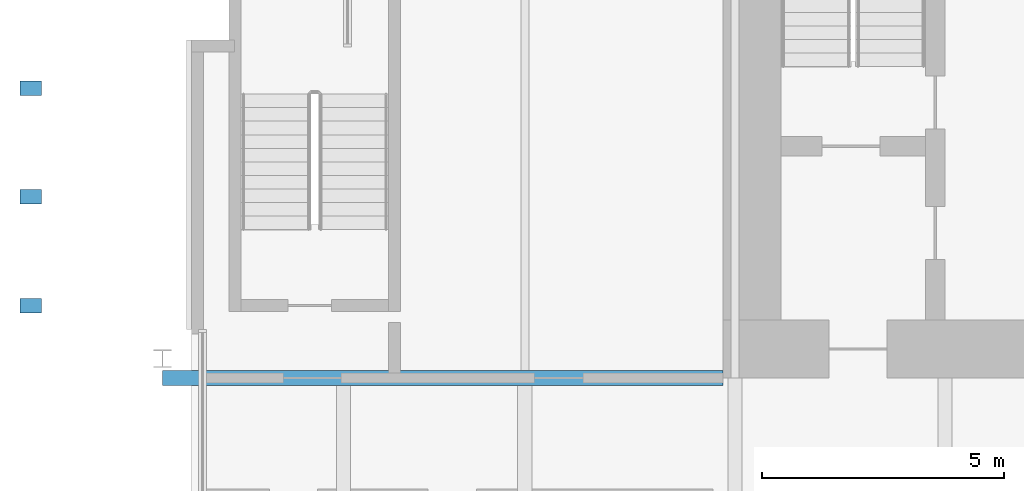
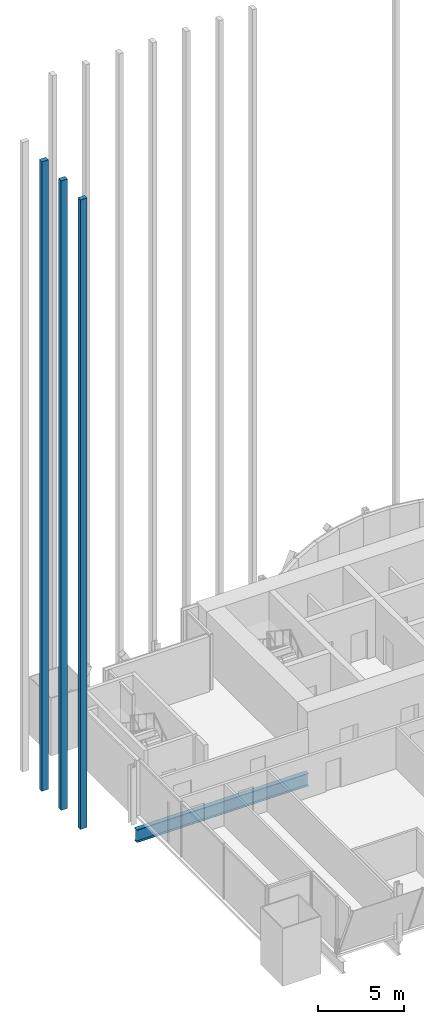
# One storey, part 8 of 29: 3 members, 1 beam, 1 element without a shape of its own.
"""IFC4 building model written with IfcOpenShell, lengths in metres."""

from ifc_helpers import new_model, si_unit, direction, frame, origin, origin_2d, place, context, subcontext, project, spatial, rectangle, i_section, extrude, material, material_profile, profile_set, type_object, element, aggregate, save


model = new_model("IFC4")

# Units and contexts
model_context = context("Model", 3, precision=1e-05, world=origin(), true_north=direction((0.0, 1.0)))
body_context = subcontext(model_context, "Body", "Model", "MODEL_VIEW")
ifc_project = project(units=[si_unit("LENGTHUNIT", "METRE"), si_unit("AREAUNIT", "SQUARE_METRE"), si_unit("VOLUMEUNIT", "CUBIC_METRE"), si_unit("PLANEANGLEUNIT", "RADIAN"), si_unit("MASSUNIT", "GRAM", prefix="KILO")], contexts=[model_context])

# Site, building, storey
site_placement = place(None, origin())
site = spatial("IfcSite", under=ifc_project, at=site_placement, CompositionType="ELEMENT")
building_placement = place(site_placement, origin())
building = spatial("IfcBuilding", under=site, at=building_placement, Name="Bicima Exchange Tower", CompositionType="ELEMENT")
storey_placement = place(building_placement, frame((0.0, 0.0, 190.89990234375)))
storey = spatial("IfcBuildingStorey", under=building, at=storey_placement, Name="L42", CompositionType="ELEMENT", Elevation=190.89990234375)

# Beam
ifc_material_1 = material(Name="Steel ASTM A992 Gr 50", Category="steel")
ifc_material_profile_1 = material_profile(ifc_material_1, i_section(OverallWidth=0.3046875, OverallDepth=0.911865234375, WebThickness=0.015869140625, FlangeThickness=0.02392578125, at=origin_2d()))
ifc_profile_set_1 = profile_set([ifc_material_profile_1], Name="Steel ASTM A992 Gr 50")
beam_type = type_object("IfcBeamType", Name="Core-line girder W36x150", PredefinedType="BEAM", material=ifc_profile_set_1)
beam_placement = place(storey_placement, frame((-22.0, -13.0, -0.605712890625), z_axis=(-1.0, 0.0, 0.0), x_axis=(0.0, -1.0, 0.0)))
element("IfcBeam", 1, at=beam_placement, inside=storey, type_object=beam_type, Name="Core-line girder", PredefinedType="BEAM", context=body_context, shape_type="SweptSolid", body=[
    extrude(i_section(OverallWidth=0.3046875, OverallDepth=0.911865234375, WebThickness=0.015869140625, FlangeThickness=0.02392578125, at=origin_2d()), origin(), (0.0, 0.0, 1.0), 11.60009765625),
])

# Curtain wall, members
ifc_material_2 = material(Name="Anodised bronze aluminium", Category="aluminium")
curtain_wall_type = type_object("IfcCurtainWallType", Name="Rear blade screen", PredefinedType="NOTDEFINED", material=ifc_material_2)
curtain_wall_placement = place(storey_placement, origin())
curtain_wall = element("IfcCurtainWall", 2, at=curtain_wall_placement, inside=storey, type_object=curtain_wall_type, Name="End blade screen L42-L52", PredefinedType="NOTDEFINED")
ifc_material_profile_2 = material_profile(ifc_material_2, rectangle(XDim=0.449951171875, YDim=0.300048828125, at=origin_2d()))
ifc_profile_set_2 = profile_set([ifc_material_profile_2], Name="Anodised bronze aluminium")
member_type = type_object("IfcMemberType", Name="Rear blade fin 450 x 300", PredefinedType="USERDEFINED", material=ifc_profile_set_2)
member_1_placement = place(storey_placement, frame((-36.324951171875, -11.5, 0.0), z_axis=(0.0, 0.0, 1.0), x_axis=(1.0, 0.0, 0.0)))
member_1 = element("IfcMember", 3, at=member_1_placement, type_object=member_type, Name="End blade fin L42-L52 1", ObjectType="FIN", PredefinedType="USERDEFINED", context=body_context, shape_type="SweptSolid", body=[
    extrude(rectangle(XDim=0.449951171875, YDim=0.300048828125, at=origin_2d()), origin(), (0.0, 0.0, 1.0), 44.900146484375),
])
member_2_placement = place(storey_placement, frame((-36.324951171875, -9.25, 0.0), z_axis=(0.0, 0.0, 1.0), x_axis=(1.0, 0.0, 0.0)))
member_2 = element("IfcMember", 4, at=member_2_placement, type_object=member_type, Name="End blade fin L42-L52 2", ObjectType="FIN", PredefinedType="USERDEFINED", context=body_context, shape_type="SweptSolid", body=[
    extrude(rectangle(XDim=0.449951171875, YDim=0.300048828125, at=origin_2d()), origin(), (0.0, 0.0, 1.0), 44.900146484375),
])
member_3_placement = place(storey_placement, frame((-36.324951171875, -7.0, 0.0), z_axis=(0.0, 0.0, 1.0), x_axis=(1.0, 0.0, 0.0)))
member_3 = element("IfcMember", 5, at=member_3_placement, type_object=member_type, Name="End blade fin L42-L52 3", ObjectType="FIN", PredefinedType="USERDEFINED", context=body_context, shape_type="SweptSolid", body=[
    extrude(rectangle(XDim=0.449951171875, YDim=0.300048828125, at=origin_2d()), origin(), (0.0, 0.0, 1.0), 44.900146484375),
])
aggregate(curtain_wall, [member_1, member_2, member_3])

save(model, "model.ifc")
